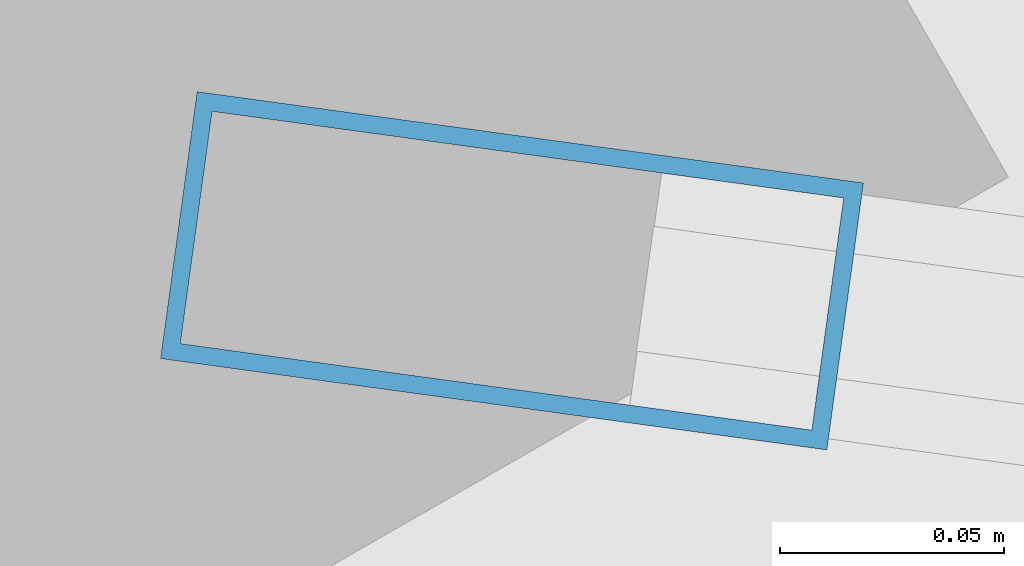
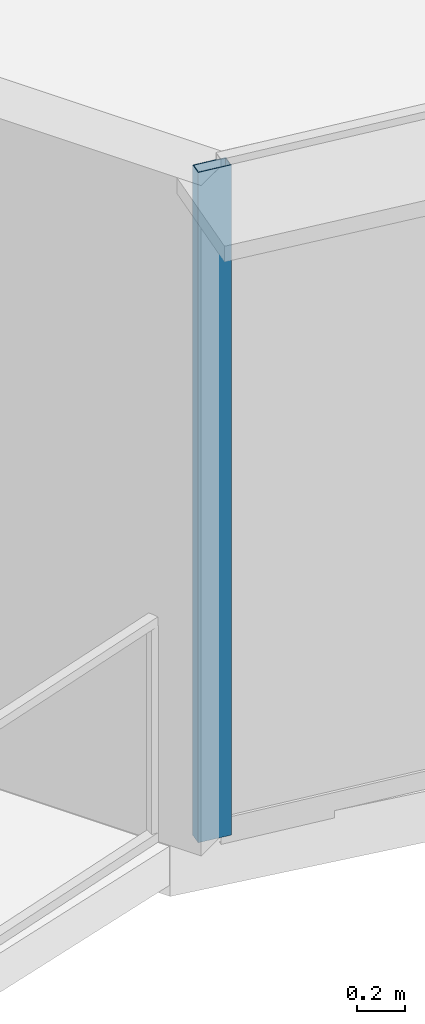
# One storey, part 2 of 39: 1 member, 1 element without a shape of its own.
"""IFC4 building model written with IfcOpenShell, lengths in metres."""

from ifc_helpers import new_model, si_unit, direction, frame, origin, origin_2d, place, context, subcontext, project, spatial, hollow_rectangle, extrude, source, transform, mapped, material, layer, layer_set, material_profile, profile_set, type_object, element, aggregate, save


model = new_model("IFC4")

# Units and contexts
model_context = context("Model", 3, precision=1e-05, world=origin(), true_north=direction((0.0, 1.0)))
body_context = subcontext(model_context, "Body", "Model", "MODEL_VIEW")
ifc_project = project(units=[si_unit("LENGTHUNIT", "METRE"), si_unit("AREAUNIT", "SQUARE_METRE"), si_unit("VOLUMEUNIT", "CUBIC_METRE"), si_unit("PLANEANGLEUNIT", "RADIAN"), si_unit("MASSUNIT", "GRAM", prefix="KILO"), si_unit("THERMODYNAMICTEMPERATUREUNIT", "KELVIN"), si_unit("POWERUNIT", "WATT")], contexts=[model_context])

# Site, building, storey
site_placement = place(None, origin())
site = spatial("IfcSite", under=ifc_project, at=site_placement, CompositionType="ELEMENT")
building_placement = place(site_placement, origin())
building = spatial("IfcBuilding", under=site, at=building_placement, Name="Yunzhuo Pagoda Commons", CompositionType="ELEMENT")
storey_placement = place(building_placement, frame((0.0, 0.0, 166.6298828125)))
storey = spatial("IfcBuildingStorey", under=building, at=storey_placement, Name="L42", CompositionType="ELEMENT", Elevation=166.6298828125)

# Curtain wall, member
ifc_material = material(Name="Anodized aluminium 6063-T6", Category="aluminium")
ifc_layer = layer(ifc_material, 0.14990234375)
ifc_layer_set = layer_set([ifc_layer], Name="Anodized aluminium 6063-T6")
curtain_wall_type = type_object("IfcCurtainWallType", Name="CW-MID Mid-Zone Ribbon Curtain Wall", PredefinedType="NOTDEFINED", material=ifc_layer_set)
curtain_wall_placement = place(storey_placement, origin())
curtain_wall = element("IfcCurtainWall", 1, at=curtain_wall_placement, inside=storey, type_object=curtain_wall_type, Name="L42 curtain wall CW-L42-F1B1", PredefinedType="NOTDEFINED")
ifc_material_profile = material_profile(ifc_material, hollow_rectangle(XDim=0.06005859375, YDim=0.14990234375, WallThickness=0.00390625, at=origin_2d()), Name="Anodized aluminium 6063-T6")
ifc_profile_set = profile_set([ifc_material_profile], Name="Anodized aluminium 6063-T6")
member_type = type_object("IfcMemberType", Name="CW-MID-M Mullion RHS 150x60x4", PredefinedType="MULLION", material=ifc_profile_set)
shared_shape = source(origin(), body_context, "Body", "SweptSolid", [
    extrude(hollow_rectangle(XDim=0.06005859375, YDim=0.14990234375, WallThickness=0.00390625, at=origin_2d()), origin(), (0.0, 0.0, 1.0), 3.420166015625),
])
member_placement = place(storey_placement, frame((13.1884765625, 16.8642578125, 0.0), z_axis=(0.0, 0.0, 1.0), x_axis=(0.135767265879, 0.990740757976, 0.0)))
member = element("IfcMember", 2, at=member_placement, type_object=member_type, Name="CW mullion 1", PredefinedType="MULLION", context=body_context, shape_type="MappedRepresentation", body=[
    mapped(shared_shape, transform((0.0, 0.0, 0.0), scale=1.0)),
])
aggregate(curtain_wall, [member])

save(model, "model.ifc")
